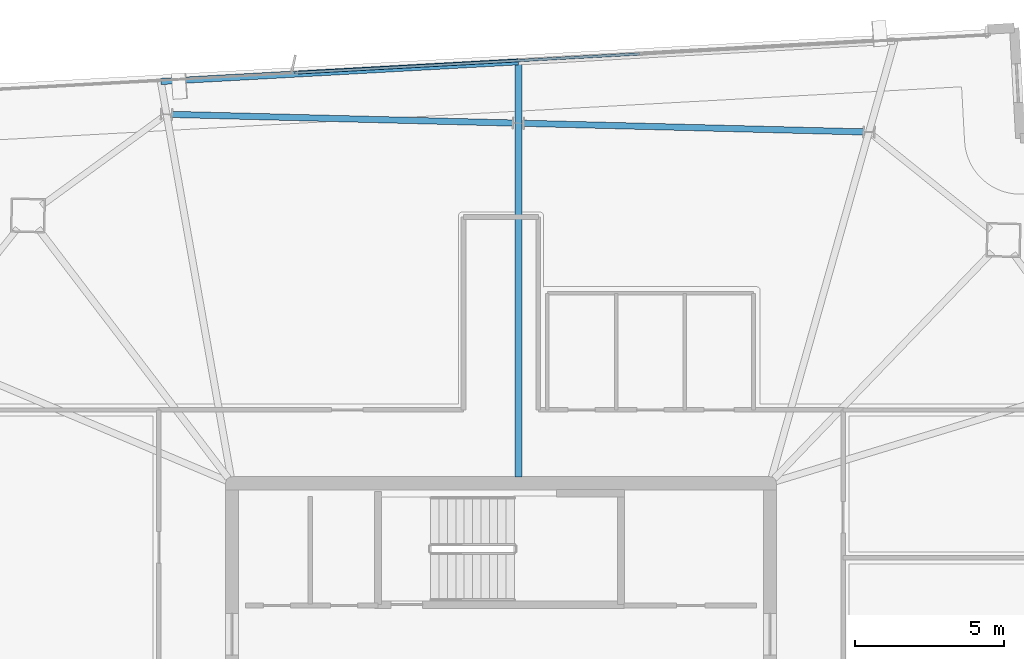
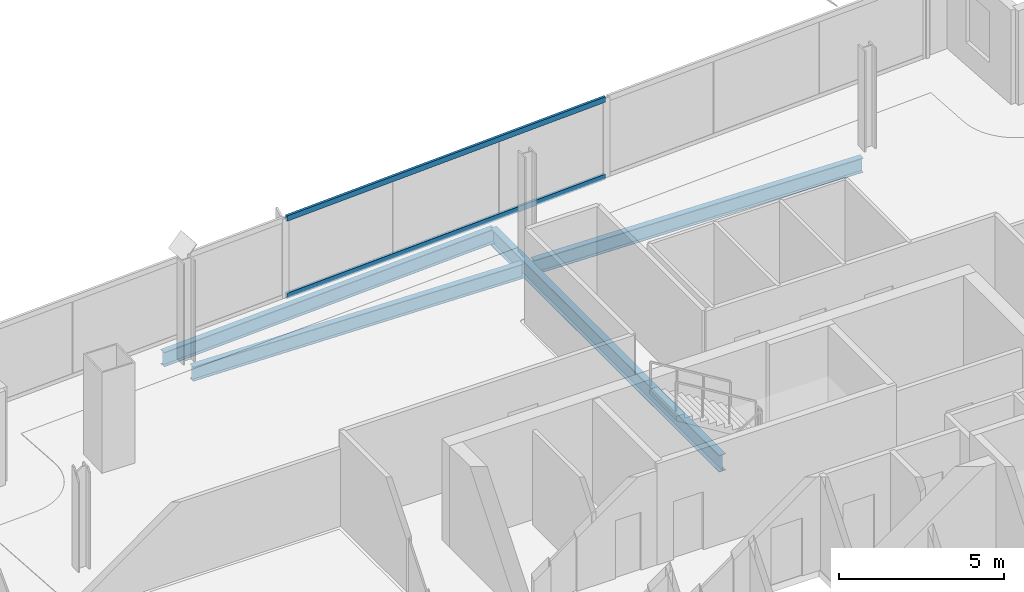
# One storey, part 12 of 23: 4 beams, 2 members, 1 element without a shape of its own.
"""IFC4 building model written with IfcOpenShell, lengths in metres."""

from ifc_helpers import new_model, si_unit, direction, frame, origin, origin_2d, place, context, subcontext, project, spatial, hollow_rectangle, i_section, extrude, material, material_profile, profile_set, type_object, element, aggregate, save


model = new_model("IFC4")

# Units and contexts
model_context = context("Model", 3, precision=1e-05, world=origin(), true_north=direction((0.0, 1.0)))
body_context = subcontext(model_context, "Body", "Model", "MODEL_VIEW")
ifc_project = project(units=[si_unit("LENGTHUNIT", "METRE"), si_unit("AREAUNIT", "SQUARE_METRE"), si_unit("VOLUMEUNIT", "CUBIC_METRE"), si_unit("PLANEANGLEUNIT", "RADIAN"), si_unit("MASSUNIT", "GRAM", prefix="KILO")], contexts=[model_context])

# Site, building, storey
site_placement = place(None, origin())
site = spatial("IfcSite", under=ifc_project, at=site_placement, CompositionType="ELEMENT")
building_placement = place(site_placement, origin())
building = spatial("IfcBuilding", under=site, at=building_placement, Name="Haldenkirk Collegiate Tower", CompositionType="ELEMENT")
storey_placement = place(building_placement, frame((0.0, 0.0, 340.199951171875)))
storey = spatial("IfcBuildingStorey", under=building, at=storey_placement, Name="L86", CompositionType="ELEMENT", Elevation=340.199951171875)

# Beams
ifc_material_1 = material(Name="Steel ASTM A992 Grade 50", Category="steel")
ifc_material_profile_1 = material_profile(ifc_material_1, i_section(OverallWidth=0.22998046875, OverallDepth=0.616943359375, WebThickness=0.01318359375, FlangeThickness=0.022216796875, at=origin_2d()), Name="W24X94")
ifc_profile_set_1 = profile_set([ifc_material_profile_1], Name="Steel ASTM A992 Grade 50")
beam_type_1 = type_object("IfcBeamType", Name="BM-GIRDER-W24X94", PredefinedType="BEAM", material=ifc_profile_set_1)
beam_1_placement = place(storey_placement, frame((36.582275390625, 48.09521484375, -0.568359375), z_axis=(0.0, -1.0, 0.0), x_axis=(1.0, 0.0, 0.0)))
element("IfcBeam", 1, at=beam_1_placement, inside=storey, type_object=beam_type_1, Name="L86 primary floor girder 09", PredefinedType="BEAM", context=body_context, shape_type="SweptSolid", body=[
    extrude(i_section(OverallWidth=0.22998046875, OverallDepth=0.616943359375, WebThickness=0.01318359375, FlangeThickness=0.022216796875, at=origin_2d()), origin(), (0.0, 0.0, 1.0), 13.89013671875),
])
ifc_material_profile_2 = material_profile(ifc_material_1, i_section(OverallWidth=0.2099609375, OverallDepth=0.537109375, WebThickness=0.010986328125, FlangeThickness=0.017333984375, at=origin_2d()), Name="W21X68")
ifc_profile_set_2 = profile_set([ifc_material_profile_2], Name="Steel ASTM A992 Grade 50")
beam_type_2 = type_object("IfcBeamType", Name="BM-SPANDREL-W21X68", PredefinedType="SPANDREL", material=ifc_profile_set_2)
beam_2_placement = place(storey_placement, frame((48.123779296875, 45.74951171875, -0.528564453125), z_axis=(-0.999679864584, 0.025301548267, 0.0), x_axis=(-0.025301548267, -0.999679864584, 0.0)))
element("IfcBeam", 2, at=beam_2_placement, inside=storey, type_object=beam_type_2, Name="L86 perimeter spandrel beam 06", PredefinedType="SPANDREL", context=body_context, shape_type="SweptSolid", body=[
    extrude(i_section(OverallWidth=0.2099609375, OverallDepth=0.537109375, WebThickness=0.010986328125, FlangeThickness=0.017333984375, at=origin_2d()), origin(), (0.0, 0.0, 1.0), 11.357177734375),
])
beam_3_placement = place(storey_placement, frame((36.394287109375, 46.04638671875, -0.528564453125), z_axis=(-0.999680042221, 0.02529452876, 0.0), x_axis=(-0.02529452876, -0.999680042221, 0.0)))
element("IfcBeam", 3, at=beam_3_placement, inside=storey, type_object=beam_type_2, Name="L86 perimeter spandrel beam 07", PredefinedType="SPANDREL", context=body_context, shape_type="SweptSolid", body=[
    extrude(i_section(OverallWidth=0.2099609375, OverallDepth=0.537109375, WebThickness=0.010986328125, FlangeThickness=0.017333984375, at=origin_2d()), origin(), (0.0, 0.0, 1.0), 11.39892578125),
])
beam_4_placement = place(storey_placement, frame((36.582275390625, 48.09521484375, -0.528564453125), z_axis=(-0.998489425572, -0.05494421735, 0.0), x_axis=(0.05494421735, -0.998489425572, 0.0)))
element("IfcBeam", 4, at=beam_4_placement, inside=storey, type_object=beam_type_2, Name="L86 outer facade edge beam 2B", PredefinedType="SPANDREL", context=body_context, shape_type="SweptSolid", body=[
    extrude(i_section(OverallWidth=0.2099609375, OverallDepth=0.537109375, WebThickness=0.010986328125, FlangeThickness=0.017333984375, at=origin_2d()), origin(), (0.0, 0.0, 1.0), 11.98388671875),
])

# Curtain wall, members
ifc_material_2 = material(Name="Anodised architectural bronze aluminium", Category="aluminium")
curtain_wall_type = type_object("IfcCurtainWallType", Name="CW-SYS1B-CONVEX-HI", PredefinedType="USERDEFINED", material=ifc_material_2)
curtain_wall_placement = place(storey_placement, origin())
curtain_wall = element("IfcCurtainWall", 5, at=curtain_wall_placement, inside=storey, type_object=curtain_wall_type, Name="L86 Upper tower high-wind convex bronze unitised curtain wall", ObjectType="UNITISED CURTAIN WALL", PredefinedType="USERDEFINED")
ifc_material_profile_3 = material_profile(ifc_material_2, hollow_rectangle(XDim=0.0849609375, YDim=0.199951171875, WallThickness=0.0048828125, at=origin_2d()), Name="CW-TRN-1B")
ifc_profile_set_3 = profile_set([ifc_material_profile_3], Name="Anodised architectural bronze aluminium")
member_type = type_object("IfcMemberType", Name="CW-TRN-1B", PredefinedType="USERDEFINED", material=ifc_profile_set_3)
member_1_placement = place(storey_placement, frame((29.11328125, 47.724365234375, 0.04248046875), z_axis=(0.998489571086, 0.054941572899, 0.0), x_axis=(-0.054941572899, 0.998489571086, 0.0)))
member_1 = element("IfcMember", 6, at=member_1_placement, type_object=member_type, Name="CW-1B transom 2.1", ObjectType="TRANSOM", PredefinedType="USERDEFINED", context=body_context, shape_type="SweptSolid", body=[
    extrude(hollow_rectangle(XDim=0.0849609375, YDim=0.199951171875, WallThickness=0.0048828125, at=origin_2d()), origin(), (0.0, 0.0, 1.0), 11.5400390625),
])
member_2_placement = place(storey_placement, frame((29.11328125, 47.724365234375, 2.905517578125), z_axis=(0.998489571086, 0.054941572899, 0.0), x_axis=(-0.054941572899, 0.998489571086, 0.0)))
member_2 = element("IfcMember", 7, at=member_2_placement, type_object=member_type, Name="CW-1B transom 2.2", ObjectType="TRANSOM", PredefinedType="USERDEFINED", context=body_context, shape_type="SweptSolid", body=[
    extrude(hollow_rectangle(XDim=0.0849609375, YDim=0.199951171875, WallThickness=0.0048828125, at=origin_2d()), origin(), (0.0, 0.0, 1.0), 11.5400390625),
])
aggregate(curtain_wall, [member_1, member_2])

save(model, "model.ifc")
